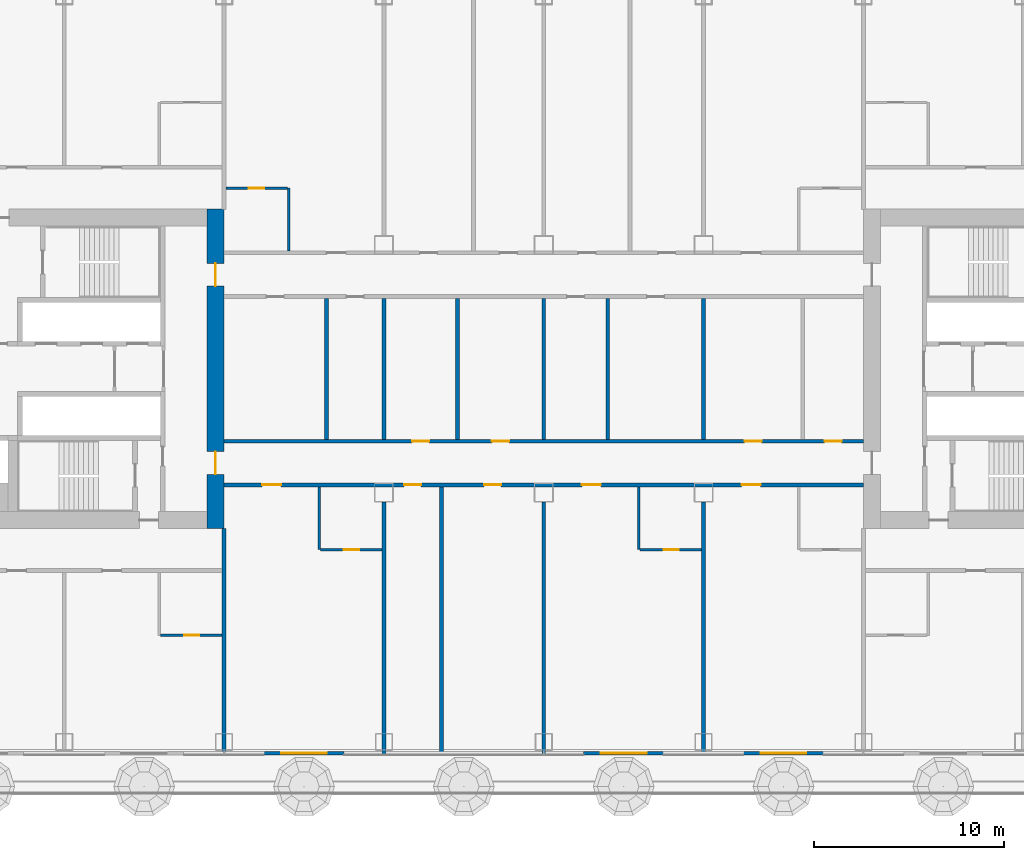
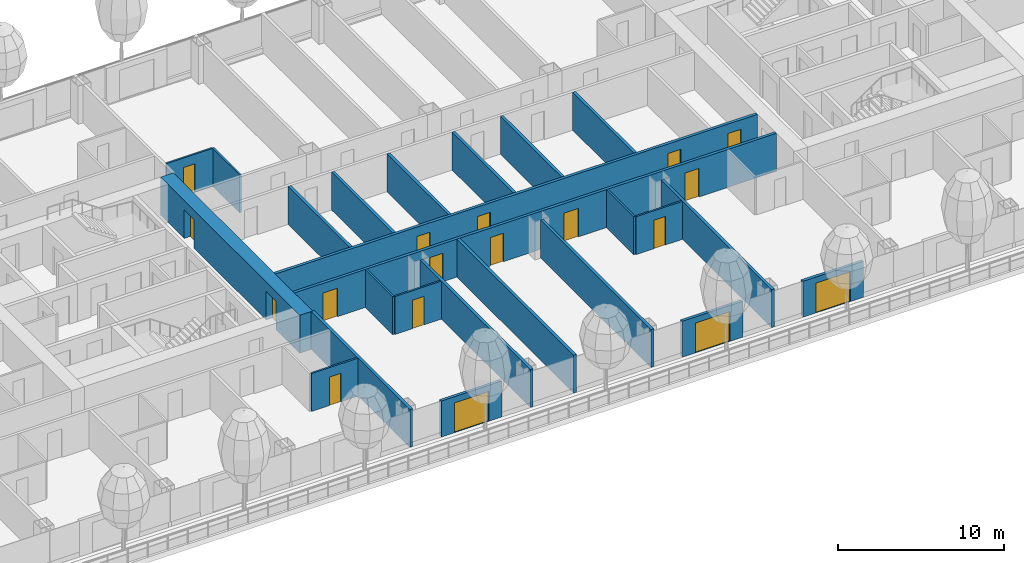
# One storey, part 15 of 35: 24 walls, 18 doors, 18 openings, 1 element without a shape of its own.
"""IFC4 building model written with IfcOpenShell, lengths in metres."""

from ifc_helpers import new_model, si_unit, direction, frame, frame_2d, origin, place, context, subcontext, project, spatial, rectangle, extrude, material, layer, layer_set, type_object, element, fill, aggregate, save


model = new_model("IFC4")

# Units and contexts
model_context = context("Model", 3, precision=1e-05, world=origin(), true_north=direction((0.0, 1.0)))
body_context = subcontext(model_context, "Body", "Model", "MODEL_VIEW")
ifc_project = project(units=[si_unit("LENGTHUNIT", "METRE"), si_unit("AREAUNIT", "SQUARE_METRE"), si_unit("VOLUMEUNIT", "CUBIC_METRE"), si_unit("PLANEANGLEUNIT", "RADIAN"), si_unit("MASSUNIT", "GRAM", prefix="KILO")], contexts=[model_context])

# Site, building, storey
site_placement = place(None, origin())
site = spatial("IfcSite", under=ifc_project, at=site_placement, CompositionType="ELEMENT")
building_placement = place(site_placement, origin())
building = spatial("IfcBuilding", under=site, at=building_placement, Name="Hakoniwa Tower and Hamabe Station Hall", CompositionType="ELEMENT")
storey_placement = place(building_placement, frame((0.0, 0.0, 51.800048828125)))
storey = spatial("IfcBuildingStorey", under=building, at=storey_placement, Name="L14", CompositionType="ELEMENT", Elevation=51.800048828125)

# Wall, opening, door
ifc_material_1 = material(Name="Gypsum board partition", Category="gypsum")
ifc_layer_1 = layer(ifc_material_1, 0.125)
ifc_layer_set_1 = layer_set([ifc_layer_1], Name="Bathroom Partition 125")
wall_type_1 = type_object("IfcWallType", Name="Bathroom Partition 125", PredefinedType="PARTITIONING", material=ifc_layer_set_1)
wall_1_placement = place(storey_placement, frame((-20.137451171875, -14.0, 0.0), z_axis=(0.0, 0.0, 1.0), x_axis=(1.0, 0.0, 0.0)))
wall_1 = element("IfcWall", 1, at=wall_1_placement, inside=storey, type_object=wall_type_1, Name="GW-L14-003", PredefinedType="PARTITIONING", context=body_context, shape_type="SweptSolid", body=[
    extrude(rectangle(XDim=3.237548828125, YDim=0.125, at=frame_2d((1.61865234375, 0.0))), origin(), (0.0, 0.0, 1.0), 2.800048828125),
])
opening_1_placement = place(wall_1_placement, frame((1.237548828125, 0.0, 0.0)))
opening_1 = element("IfcOpeningElement", 2, at=opening_1_placement, cuts=wall_1, Name="Opening GD-G1A2-04", PredefinedType="OPENING", context=body_context, shape_type="SweptSolid", body=[
    extrude(rectangle(XDim=0.800048828125, YDim=2.10009765625, at=frame_2d((0.39990234375, 1.050048828125))), frame((0.0, 0.072509765625, 0.0), z_axis=(0.0, -1.0, 0.0), x_axis=(1.0, 0.0, 0.0)), (0.0, 0.0, 1.0), 0.14501953125),
])
ifc_material_2 = material(Name="Timber door leaf", Category="wood")
door_type_1 = type_object("IfcDoorType", Name="Bathroom Door 800", OperationType="SINGLE_SWING_LEFT", PredefinedType="DOOR", material=ifc_material_2)
door_1_placement = place(opening_1_placement, origin())
door_1 = element("IfcDoor", 3, at=door_1_placement, inside=storey, type_object=door_type_1, Name="Door GD-G1A2-04", OperationType="SINGLE_SWING_RIGHT", OverallHeight=2.10009765625, OverallWidth=0.800048828125, PredefinedType="DOOR", context=body_context, shape_type="SweptSolid", body=[
    extrude(rectangle(XDim=0.800048828125, YDim=2.10009765625, at=frame_2d((0.39990234375, 1.050048828125))), frame((0.0, 0.02490234375, 0.0), z_axis=(0.0, -1.0, 0.0), x_axis=(1.0, 0.0, 0.0)), (0.0, 0.0, 1.0), 0.050048828125),
])
fill(opening_1, door_1)

wall_2_placement = place(storey_placement, frame((-11.737548828125, -9.5, 0.0), z_axis=(0.0, 0.0, 1.0), x_axis=(1.0, 0.0, 0.0)))
wall_2 = element("IfcWall", 4, at=wall_2_placement, inside=storey, type_object=wall_type_1, Name="GW-L14-009", PredefinedType="PARTITIONING", context=body_context, shape_type="SweptSolid", body=[
    extrude(rectangle(XDim=3.237548828125, YDim=0.125, at=frame_2d((1.61865234375, 0.0))), origin(), (0.0, 0.0, 1.0), 2.800048828125),
])
opening_2_placement = place(wall_2_placement, frame((1.237548828125, 0.0, 0.0)))
opening_2 = element("IfcOpeningElement", 5, at=opening_2_placement, cuts=wall_2, Name="Opening GD-G1A2-17", PredefinedType="OPENING", context=body_context, shape_type="SweptSolid", body=[
    extrude(rectangle(XDim=0.800048828125, YDim=2.10009765625, at=frame_2d((0.39990234375, 1.050048828125))), frame((0.0, 0.072509765625, 0.0), z_axis=(0.0, -1.0, 0.0), x_axis=(1.0, 0.0, 0.0)), (0.0, 0.0, 1.0), 0.14501953125),
])
door_2_placement = place(opening_2_placement, origin())
door_2 = element("IfcDoor", 6, at=door_2_placement, inside=storey, type_object=door_type_1, Name="Door GD-G1A2-17", OperationType="SINGLE_SWING_RIGHT", OverallHeight=2.10009765625, OverallWidth=0.800048828125, PredefinedType="DOOR", context=body_context, shape_type="SweptSolid", body=[
    extrude(rectangle(XDim=0.800048828125, YDim=2.10009765625, at=frame_2d((0.39990234375, 1.050048828125))), frame((0.0, 0.02490234375, 0.0), z_axis=(0.0, -1.0, 0.0), x_axis=(1.0, 0.0, 0.0)), (0.0, 0.0, 1.0), 0.050048828125),
])
fill(opening_2, door_2)

wall_3_placement = place(storey_placement, frame((5.0625, -9.5, 0.0), z_axis=(0.0, 0.0, 1.0), x_axis=(1.0, 0.0, 0.0)))
wall_3 = element("IfcWall", 7, at=wall_3_placement, inside=storey, type_object=wall_type_1, Name="GW-L14-010", PredefinedType="PARTITIONING", context=body_context, shape_type="SweptSolid", body=[
    extrude(rectangle(XDim=3.237548828125, YDim=0.125, at=frame_2d((1.61865234375, 0.0))), origin(), (0.0, 0.0, 1.0), 2.800048828125),
])
opening_3_placement = place(wall_3_placement, frame((1.237548828125, 0.0, 0.0)))
opening_3 = element("IfcOpeningElement", 8, at=opening_3_placement, cuts=wall_3, Name="Opening GD-G1A2-18", PredefinedType="OPENING", context=body_context, shape_type="SweptSolid", body=[
    extrude(rectangle(XDim=0.800048828125, YDim=2.10009765625, at=frame_2d((0.39990234375, 1.050048828125))), frame((0.0, 0.072509765625, 0.0), z_axis=(0.0, -1.0, 0.0), x_axis=(1.0, 0.0, 0.0)), (0.0, 0.0, 1.0), 0.14501953125),
])
door_3_placement = place(opening_3_placement, origin())
door_3 = element("IfcDoor", 9, at=door_3_placement, inside=storey, type_object=door_type_1, Name="Door GD-G1A2-18", OperationType="SINGLE_SWING_LEFT", OverallHeight=2.10009765625, OverallWidth=0.800048828125, PredefinedType="DOOR", context=body_context, shape_type="SweptSolid", body=[
    extrude(rectangle(XDim=0.800048828125, YDim=2.10009765625, at=frame_2d((0.39990234375, 1.050048828125))), frame((0.0, 0.02490234375, 0.0), z_axis=(0.0, -1.0, 0.0), x_axis=(1.0, 0.0, 0.0)), (0.0, 0.0, 1.0), 0.050048828125),
])
fill(opening_3, door_3)

wall_4_placement = place(storey_placement, frame((-16.699951171875, 9.5, 0.0), z_axis=(0.0, 0.0, 1.0), x_axis=(1.0, 0.0, 0.0)))
wall_4 = element("IfcWall", 10, at=wall_4_placement, inside=storey, type_object=wall_type_1, Name="GW-L14-030", PredefinedType="PARTITIONING", context=body_context, shape_type="SweptSolid", body=[
    extrude(rectangle(XDim=3.237548828125, YDim=0.125, at=frame_2d((1.61865234375, 0.0))), origin(), (0.0, 0.0, 1.0), 2.800048828125),
])
opening_4_placement = place(wall_4_placement, frame((1.199951171875, 0.0, 0.0)))
opening_4 = element("IfcOpeningElement", 11, at=opening_4_placement, cuts=wall_4, Name="Opening GD-G1A2-54", PredefinedType="OPENING", context=body_context, shape_type="SweptSolid", body=[
    extrude(rectangle(XDim=0.800048828125, YDim=2.10009765625, at=frame_2d((0.39990234375, 1.050048828125))), frame((0.0, 0.072509765625, 0.0), z_axis=(0.0, -1.0, 0.0), x_axis=(1.0, 0.0, 0.0)), (0.0, 0.0, 1.0), 0.14501953125),
])
door_4_placement = place(opening_4_placement, origin())
door_4 = element("IfcDoor", 12, at=door_4_placement, inside=storey, type_object=door_type_1, Name="Door GD-G1A2-54", OperationType="SINGLE_SWING_RIGHT", OverallHeight=2.10009765625, OverallWidth=0.800048828125, PredefinedType="DOOR", context=body_context, shape_type="SweptSolid", body=[
    extrude(rectangle(XDim=0.800048828125, YDim=2.10009765625, at=frame_2d((0.39990234375, 1.050048828125))), frame((0.0, 0.02490234375, 0.0), z_axis=(0.0, -1.0, 0.0), x_axis=(1.0, 0.0, 0.0)), (0.0, 0.0, 1.0), 0.050048828125),
])
fill(opening_4, door_4)

# Walls
for number, where, z_axis, x_axis, name in (
    (13, (-13.39990234375, 6.199951171875, 0.0), (0.0, 0.0, 1.0), (0.0, 1.0, 0.0), "GW-L14-063"),
    (14, (-11.800048828125, -9.5, 0.0), (0.0, 0.0, 1.0), (0.0, 1.0, 0.0), "GW-L14-064"),
    (15, (5.0, -9.5, 0.0), (0.0, 0.0, 1.0), (0.0, 1.0, 0.0), "GW-L14-077"),
):
    element("IfcWall", number, at=place(storey_placement, frame(where, z_axis=z_axis, x_axis=x_axis)), inside=storey, type_object=wall_type_1, Name=name, PredefinedType="PARTITIONING", context=body_context, shape_type="SweptSolid", body=[
        extrude(rectangle(XDim=3.300048828125, YDim=0.125, at=frame_2d((1.64990234375, 0.0))), origin(), (0.0, 0.0, 1.0), 2.800048828125),
    ])

# Wall, openings, doors
ifc_material_3 = material(Name="Concrete C80", Category="concrete")
ifc_layer_2 = layer(ifc_material_3, 0.89990234375)
ifc_layer_set_2 = layer_set([ifc_layer_2], Name="CORE WALL 900 C80")
wall_type_2 = type_object("IfcWallType", Name="CORE WALL 900 C80", PredefinedType="SHEAR", material=ifc_layer_set_2)
wall_5_placement = place(storey_placement, frame((-17.25, -8.39990234375, 0.0), z_axis=(0.0, 0.0, 1.0), x_axis=(0.0, 1.0, 0.0)))
wall_5 = element("IfcWall", 16, at=wall_5_placement, inside=storey, type_object=wall_type_2, Name="Core wall INNER west", PredefinedType="SHEAR", context=body_context, shape_type="SweptSolid", body=[
    extrude(rectangle(XDim=16.7998046875, YDim=0.89990234375, at=frame_2d((8.39990234375, 0.0))), origin(), (0.0, 0.0, 1.0), 2.800048828125),
])
opening_5_placement = place(wall_5_placement, frame((12.75, 0.0, 0.0)))
opening_5 = element("IfcOpeningElement", 17, at=opening_5_placement, cuts=wall_5, Name="Opening CD-W-IN1-12", PredefinedType="OPENING", context=body_context, shape_type="SweptSolid", body=[
    extrude(rectangle(XDim=1.199951171875, YDim=2.10009765625, at=frame_2d((0.60009765625, 1.050048828125))), frame((0.0, 0.4599609375, 0.0), z_axis=(0.0, -1.0, 0.0), x_axis=(1.0, 0.0, 0.0)), (0.0, 0.0, 1.0), 0.919921875),
])
opening_6_placement = place(wall_5_placement, frame((2.85009765625, 0.0, 0.0)))
opening_6 = element("IfcOpeningElement", 18, at=opening_6_placement, cuts=wall_5, Name="Opening CD-W-IN2-12", PredefinedType="OPENING", context=body_context, shape_type="SweptSolid", body=[
    extrude(rectangle(XDim=1.199951171875, YDim=2.10009765625, at=frame_2d((0.60009765625, 1.050048828125))), frame((0.0, 0.4599609375, 0.0), z_axis=(0.0, -1.0, 0.0), x_axis=(1.0, 0.0, 0.0)), (0.0, 0.0, 1.0), 0.919921875),
])
ifc_material_4 = material(Name="Steel fire door", Category="steel")
door_type_2 = type_object("IfcDoorType", Name="CORE DOOR 1200 FD60", OperationType="DOUBLE_DOOR_SINGLE_SWING", PredefinedType="DOOR", material=ifc_material_4)
door_5_placement = place(opening_5_placement, origin())
door_5 = element("IfcDoor", 19, at=door_5_placement, inside=storey, type_object=door_type_2, Name="Lift lobby door", OperationType="DOUBLE_DOOR_SINGLE_SWING", OverallHeight=2.10009765625, OverallWidth=1.199951171875, PredefinedType="DOOR", context=body_context, shape_type="SweptSolid", body=[
    extrude(rectangle(XDim=1.199951171875, YDim=2.10009765625, at=frame_2d((0.60009765625, 1.050048828125))), frame((0.0, 0.02490234375, 0.0), z_axis=(0.0, -1.0, 0.0), x_axis=(1.0, 0.0, 0.0)), (0.0, 0.0, 1.0), 0.050048828125),
])
fill(opening_5, door_5)
door_6_placement = place(opening_6_placement, origin())
door_6 = element("IfcDoor", 20, at=door_6_placement, inside=storey, type_object=door_type_2, Name="Lift lobby door", OperationType="DOUBLE_DOOR_SINGLE_SWING", OverallHeight=2.10009765625, OverallWidth=1.199951171875, PredefinedType="DOOR", context=body_context, shape_type="SweptSolid", body=[
    extrude(rectangle(XDim=1.199951171875, YDim=2.10009765625, at=frame_2d((0.60009765625, 1.050048828125))), frame((0.0, 0.02490234375, 0.0), z_axis=(0.0, -1.0, 0.0), x_axis=(1.0, 0.0, 0.0)), (0.0, 0.0, 1.0), 0.050048828125),
])
fill(opening_6, door_6)

ifc_material_5 = material(Name="Fire-rated gypsum board partition", Category="gypsum")
ifc_layer_3 = layer(ifc_material_5, 0.199951171875)
ifc_layer_set_3 = layer_set([ifc_layer_3], Name="Corridor Wall 200")
wall_type_3 = type_object("IfcWallType", Name="Corridor Wall 200", PredefinedType="PARTITIONING", material=ifc_layer_set_3)
wall_6_placement = place(storey_placement, frame((-16.800048828125, -6.10009765625, 0.0), z_axis=(0.0, 0.0, 1.0), x_axis=(1.0, 0.0, 0.0)))
wall_6 = element("IfcWall", 21, at=wall_6_placement, inside=storey, type_object=wall_type_3, Name="GW-L14-014", PredefinedType="PARTITIONING", context=body_context, shape_type="SweptSolid", body=[
    extrude(rectangle(XDim=33.60009765625, YDim=0.199951171875, at=frame_2d((16.800048828125, 0.0))), origin(), (0.0, 0.0, 1.0), 2.800048828125),
])
opening_7_placement = place(wall_6_placement, frame((2.0, 0.0, 0.0)))
opening_7 = element("IfcOpeningElement", 22, at=opening_7_placement, cuts=wall_6, Name="Opening GD-G1A2-24", PredefinedType="OPENING", context=body_context, shape_type="SweptSolid", body=[
    extrude(rectangle(XDim=1.0, YDim=2.10009765625, at=frame_2d((0.5, 1.050048828125))), frame((0.0, 0.10986328125, 0.0), z_axis=(0.0, -1.0, 0.0), x_axis=(1.0, 0.0, 0.0)), (0.0, 0.0, 1.0), 0.219970703125),
])
opening_8_placement = place(wall_6_placement, frame((9.4599609375, 0.0, 0.0)))
opening_8 = element("IfcOpeningElement", 23, at=opening_8_placement, cuts=wall_6, Name="Opening GD-G1A2-25", PredefinedType="OPENING", context=body_context, shape_type="SweptSolid", body=[
    extrude(rectangle(XDim=0.89990234375, YDim=2.10009765625, at=frame_2d((0.449951171875, 1.050048828125))), frame((0.0, 0.10986328125, 0.0), z_axis=(0.0, -1.0, 0.0), x_axis=(1.0, 0.0, 0.0)), (0.0, 0.0, 1.0), 0.219970703125),
])
opening_9_placement = place(wall_6_placement, frame((13.659912109375, 0.0, 0.0)))
opening_9 = element("IfcOpeningElement", 24, at=opening_9_placement, cuts=wall_6, Name="Opening GD-G1A2-26", PredefinedType="OPENING", context=body_context, shape_type="SweptSolid", body=[
    extrude(rectangle(XDim=0.89990234375, YDim=2.10009765625, at=frame_2d((0.449951171875, 1.050048828125))), frame((0.0, 0.10986328125, 0.0), z_axis=(0.0, -1.0, 0.0), x_axis=(1.0, 0.0, 0.0)), (0.0, 0.0, 1.0), 0.219970703125),
])
opening_10_placement = place(wall_6_placement, frame((18.800048828125, 0.0, 0.0)))
opening_10 = element("IfcOpeningElement", 25, at=opening_10_placement, cuts=wall_6, Name="Opening GD-G1A2-27", PredefinedType="OPENING", context=body_context, shape_type="SweptSolid", body=[
    extrude(rectangle(XDim=1.0, YDim=2.10009765625, at=frame_2d((0.5, 1.050048828125))), frame((0.0, 0.10986328125, 0.0), z_axis=(0.0, -1.0, 0.0), x_axis=(1.0, 0.0, 0.0)), (0.0, 0.0, 1.0), 0.219970703125),
])
opening_11_placement = place(wall_6_placement, frame((27.199951171875, 0.0, 0.0)))
opening_11 = element("IfcOpeningElement", 26, at=opening_11_placement, cuts=wall_6, Name="Opening GD-G1A2-28", PredefinedType="OPENING", context=body_context, shape_type="SweptSolid", body=[
    extrude(rectangle(XDim=1.0, YDim=2.10009765625, at=frame_2d((0.5, 1.050048828125))), frame((0.0, 0.10986328125, 0.0), z_axis=(0.0, -1.0, 0.0), x_axis=(1.0, 0.0, 0.0)), (0.0, 0.0, 1.0), 0.219970703125),
])
ifc_material_6 = material(Name="Timber door leaf", Category="wood")
door_type_3 = type_object("IfcDoorType", Name="Guest Entrance Door 1000", OperationType="SINGLE_SWING_LEFT", PredefinedType="DOOR", material=ifc_material_6)
door_7_placement = place(opening_7_placement, origin())
door_7 = element("IfcDoor", 27, at=door_7_placement, inside=storey, type_object=door_type_3, Name="Door GD-G1A2-24", OperationType="SINGLE_SWING_LEFT", OverallHeight=2.10009765625, OverallWidth=1.0, PredefinedType="DOOR", context=body_context, shape_type="SweptSolid", body=[
    extrude(rectangle(XDim=1.0, YDim=2.10009765625, at=frame_2d((0.5, 1.050048828125))), frame((0.0, 0.02490234375, 0.0), z_axis=(0.0, -1.0, 0.0), x_axis=(1.0, 0.0, 0.0)), (0.0, 0.0, 1.0), 0.050048828125),
])
fill(opening_7, door_7)
door_8_placement = place(opening_10_placement, origin())
door_8 = element("IfcDoor", 28, at=door_8_placement, inside=storey, type_object=door_type_3, Name="Door GD-G1A2-27", OperationType="SINGLE_SWING_RIGHT", OverallHeight=2.10009765625, OverallWidth=1.0, PredefinedType="DOOR", context=body_context, shape_type="SweptSolid", body=[
    extrude(rectangle(XDim=1.0, YDim=2.10009765625, at=frame_2d((0.5, 1.050048828125))), frame((0.0, 0.02490234375, 0.0), z_axis=(0.0, -1.0, 0.0), x_axis=(1.0, 0.0, 0.0)), (0.0, 0.0, 1.0), 0.050048828125),
])
fill(opening_10, door_8)
door_9_placement = place(opening_11_placement, origin())
door_9 = element("IfcDoor", 29, at=door_9_placement, inside=storey, type_object=door_type_3, Name="Door GD-G1A2-28", OperationType="SINGLE_SWING_LEFT", OverallHeight=2.10009765625, OverallWidth=1.0, PredefinedType="DOOR", context=body_context, shape_type="SweptSolid", body=[
    extrude(rectangle(XDim=1.0, YDim=2.10009765625, at=frame_2d((0.5, 1.050048828125))), frame((0.0, 0.02490234375, 0.0), z_axis=(0.0, -1.0, 0.0), x_axis=(1.0, 0.0, 0.0)), (0.0, 0.0, 1.0), 0.050048828125),
])
fill(opening_11, door_9)
ifc_material_7 = material(Name="Timber door leaf", Category="wood")
door_type_4 = type_object("IfcDoorType", Name="Service Door 900", OperationType="SINGLE_SWING_LEFT", PredefinedType="DOOR", material=ifc_material_7)
door_10_placement = place(opening_8_placement, origin())
door_10 = element("IfcDoor", 30, at=door_10_placement, inside=storey, type_object=door_type_4, Name="Door GD-G1A2-25", OperationType="SINGLE_SWING_RIGHT", OverallHeight=2.10009765625, OverallWidth=0.89990234375, PredefinedType="DOOR", context=body_context, shape_type="SweptSolid", body=[
    extrude(rectangle(XDim=0.89990234375, YDim=2.10009765625, at=frame_2d((0.449951171875, 1.050048828125))), frame((0.0, 0.02490234375, 0.0), z_axis=(0.0, -1.0, 0.0), x_axis=(1.0, 0.0, 0.0)), (0.0, 0.0, 1.0), 0.050048828125),
])
fill(opening_8, door_10)
door_11_placement = place(opening_9_placement, origin())
door_11 = element("IfcDoor", 31, at=door_11_placement, inside=storey, type_object=door_type_4, Name="Door GD-G1A2-26", OperationType="SINGLE_SWING_LEFT", OverallHeight=2.10009765625, OverallWidth=0.89990234375, PredefinedType="DOOR", context=body_context, shape_type="SweptSolid", body=[
    extrude(rectangle(XDim=0.89990234375, YDim=2.10009765625, at=frame_2d((0.449951171875, 1.050048828125))), frame((0.0, 0.02490234375, 0.0), z_axis=(0.0, -1.0, 0.0), x_axis=(1.0, 0.0, 0.0)), (0.0, 0.0, 1.0), 0.050048828125),
])
fill(opening_9, door_11)

wall_7_placement = place(storey_placement, frame((-16.800048828125, -3.800048828125, 0.0), z_axis=(0.0, 0.0, 1.0), x_axis=(1.0, 0.0, 0.0)))
wall_7 = element("IfcWall", 32, at=wall_7_placement, inside=storey, type_object=wall_type_3, Name="GW-L14-019", PredefinedType="PARTITIONING", context=body_context, shape_type="SweptSolid", body=[
    extrude(rectangle(XDim=33.60009765625, YDim=0.199951171875, at=frame_2d((16.800048828125, 0.0))), origin(), (0.0, 0.0, 1.0), 2.800048828125),
])
opening_12_placement = place(wall_7_placement, frame((9.8798828125, 0.0, 0.0)))
opening_12 = element("IfcOpeningElement", 33, at=opening_12_placement, cuts=wall_7, Name="Opening GD-G1A2-33", PredefinedType="OPENING", context=body_context, shape_type="SweptSolid", body=[
    extrude(rectangle(XDim=0.89990234375, YDim=2.10009765625, at=frame_2d((0.449951171875, 1.050048828125))), frame((0.0, 0.10986328125, 0.0), z_axis=(0.0, -1.0, 0.0), x_axis=(1.0, 0.0, 0.0)), (0.0, 0.0, 1.0), 0.219970703125),
])
opening_13_placement = place(wall_7_placement, frame((14.080078125, 0.0, 0.0)))
opening_13 = element("IfcOpeningElement", 34, at=opening_13_placement, cuts=wall_7, Name="Opening GD-G1A2-34", PredefinedType="OPENING", context=body_context, shape_type="SweptSolid", body=[
    extrude(rectangle(XDim=0.89990234375, YDim=2.10009765625, at=frame_2d((0.449951171875, 1.050048828125))), frame((0.0, 0.10986328125, 0.0), z_axis=(0.0, -1.0, 0.0), x_axis=(1.0, 0.0, 0.0)), (0.0, 0.0, 1.0), 0.219970703125),
])
opening_14_placement = place(wall_7_placement, frame((27.35498046875, 0.0, 0.0)))
opening_14 = element("IfcOpeningElement", 35, at=opening_14_placement, cuts=wall_7, Name="Opening GD-G1A2-35", PredefinedType="OPENING", context=body_context, shape_type="SweptSolid", body=[
    extrude(rectangle(XDim=0.89990234375, YDim=2.10009765625, at=frame_2d((0.449951171875, 1.050048828125))), frame((0.0, 0.10986328125, 0.0), z_axis=(0.0, -1.0, 0.0), x_axis=(1.0, 0.0, 0.0)), (0.0, 0.0, 1.0), 0.219970703125),
])
opening_15_placement = place(wall_7_placement, frame((31.554931640625, 0.0, 0.0)))
opening_15 = element("IfcOpeningElement", 36, at=opening_15_placement, cuts=wall_7, Name="Opening GD-G1A2-36", PredefinedType="OPENING", context=body_context, shape_type="SweptSolid", body=[
    extrude(rectangle(XDim=0.89990234375, YDim=2.10009765625, at=frame_2d((0.449951171875, 1.050048828125))), frame((0.0, 0.10986328125, 0.0), z_axis=(0.0, -1.0, 0.0), x_axis=(1.0, 0.0, 0.0)), (0.0, 0.0, 1.0), 0.219970703125),
])
door_12_placement = place(opening_12_placement, origin())
door_12 = element("IfcDoor", 37, at=door_12_placement, inside=storey, type_object=door_type_4, Name="Door GD-G1A2-33", OperationType="SINGLE_SWING_RIGHT", OverallHeight=2.10009765625, OverallWidth=0.89990234375, PredefinedType="DOOR", context=body_context, shape_type="SweptSolid", body=[
    extrude(rectangle(XDim=0.89990234375, YDim=2.10009765625, at=frame_2d((0.449951171875, 1.050048828125))), frame((0.0, 0.02490234375, 0.0), z_axis=(0.0, -1.0, 0.0), x_axis=(1.0, 0.0, 0.0)), (0.0, 0.0, 1.0), 0.050048828125),
])
fill(opening_12, door_12)
door_13_placement = place(opening_13_placement, origin())
door_13 = element("IfcDoor", 38, at=door_13_placement, inside=storey, type_object=door_type_4, Name="Door GD-G1A2-34", OperationType="SINGLE_SWING_LEFT", OverallHeight=2.10009765625, OverallWidth=0.89990234375, PredefinedType="DOOR", context=body_context, shape_type="SweptSolid", body=[
    extrude(rectangle(XDim=0.89990234375, YDim=2.10009765625, at=frame_2d((0.449951171875, 1.050048828125))), frame((0.0, 0.02490234375, 0.0), z_axis=(0.0, -1.0, 0.0), x_axis=(1.0, 0.0, 0.0)), (0.0, 0.0, 1.0), 0.050048828125),
])
fill(opening_13, door_13)
door_14_placement = place(opening_14_placement, origin())
door_14 = element("IfcDoor", 39, at=door_14_placement, inside=storey, type_object=door_type_4, Name="Door GD-G1A2-35", OperationType="SINGLE_SWING_RIGHT", OverallHeight=2.10009765625, OverallWidth=0.89990234375, PredefinedType="DOOR", context=body_context, shape_type="SweptSolid", body=[
    extrude(rectangle(XDim=0.89990234375, YDim=2.10009765625, at=frame_2d((0.449951171875, 1.050048828125))), frame((0.0, 0.02490234375, 0.0), z_axis=(0.0, -1.0, 0.0), x_axis=(1.0, 0.0, 0.0)), (0.0, 0.0, 1.0), 0.050048828125),
])
fill(opening_14, door_14)
door_15_placement = place(opening_15_placement, origin())
door_15 = element("IfcDoor", 40, at=door_15_placement, inside=storey, type_object=door_type_4, Name="Door GD-G1A2-36", OperationType="SINGLE_SWING_RIGHT", OverallHeight=2.10009765625, OverallWidth=0.89990234375, PredefinedType="DOOR", context=body_context, shape_type="SweptSolid", body=[
    extrude(rectangle(XDim=0.89990234375, YDim=2.10009765625, at=frame_2d((0.449951171875, 1.050048828125))), frame((0.0, 0.02490234375, 0.0), z_axis=(0.0, -1.0, 0.0), x_axis=(1.0, 0.0, 0.0)), (0.0, 0.0, 1.0), 0.050048828125),
])
fill(opening_15, door_15)

# Curtain wall, walls, openings, doors
ifc_material_8 = material(Name="Dark low-e laminated glass", Category="glass")
ifc_layer_4 = layer(ifc_material_8, 0.199951171875)
ifc_layer_set_4 = layer_set([ifc_layer_4], Name="CW-1 UNITISED GUEST")
curtain_wall_type = type_object("IfcCurtainWallType", Name="CW-1 UNITISED GUEST", PredefinedType="NOTDEFINED", material=ifc_layer_set_4)
curtain_wall_placement = place(storey_placement, origin())
curtain_wall = element("IfcCurtainWall", 41, at=curtain_wall_placement, inside=storey, type_object=curtain_wall_type, Name="CW-1 curtain wall", PredefinedType="NOTDEFINED")
ifc_material_9 = material(Name="Dark glass-faced aluminium panel", Category="aluminium")
ifc_layer_5 = layer(ifc_material_9, 0.199951171875)
ifc_layer_set_5 = layer_set([ifc_layer_5], Name="DOOR BAY WALL")
wall_type_4 = type_object("IfcWallType", Name="DOOR BAY WALL", PredefinedType="NOTDEFINED", material=ifc_layer_set_5)
wall_8_placement = place(storey_placement, frame((-14.7099609375, -20.199951171875, 0.0), z_axis=(0.0, 0.0, 1.0), x_axis=(1.0, 0.0, 0.0)))
wall_8 = element("IfcWall", 42, at=wall_8_placement, type_object=wall_type_4, Name="Door bay wall", PredefinedType="NOTDEFINED", context=body_context, shape_type="SweptSolid", body=[
    extrude(rectangle(XDim=4.219970703125, YDim=0.199951171875, at=frame_2d((2.10986328125, 0.0))), origin(), (0.0, 0.0, 1.0), 2.64990234375),
])
opening_16_placement = place(wall_8_placement, frame((0.909912109375, 0.0, 0.0)))
opening_16 = element("IfcOpeningElement", 43, at=opening_16_placement, cuts=wall_8, Name="Opening BD-S07-3", PredefinedType="OPENING", context=body_context, shape_type="SweptSolid", body=[
    extrude(rectangle(XDim=2.39990234375, YDim=2.199951171875, at=frame_2d((1.199951171875, 1.10009765625))), frame((0.0, 0.10986328125, 0.0), z_axis=(0.0, -1.0, 0.0), x_axis=(1.0, 0.0, 0.0)), (0.0, 0.0, 1.0), 0.219970703125),
])
ifc_material_10 = material(Name="Dark low-e laminated glass", Category="glass")
door_type_5 = type_object("IfcDoorType", Name="BALCONY SLIDING DOOR 2400X2200", OperationType="SLIDING_TO_LEFT", PredefinedType="DOOR", material=ifc_material_10)
door_16_placement = place(opening_16_placement, frame((2.39990234375, 0.0, 0.0), z_axis=(0.0, 0.0, 1.0), x_axis=(-1.0, 0.0, 0.0)))
door_16 = element("IfcDoor", 44, at=door_16_placement, inside=storey, type_object=door_type_5, Name="Balcony sliding door", OperationType="SLIDING_TO_LEFT", OverallHeight=2.199951171875, OverallWidth=2.39990234375, PredefinedType="DOOR", context=body_context, shape_type="SweptSolid", body=[
    extrude(rectangle(XDim=2.39990234375, YDim=2.199951171875, at=frame_2d((1.199951171875, 1.10009765625))), frame((0.0, 0.02490234375, 0.0), z_axis=(0.0, -1.0, 0.0), x_axis=(1.0, 0.0, 0.0)), (0.0, 0.0, 1.0), 0.050048828125),
])
fill(opening_16, door_16)
wall_9_placement = place(storey_placement, frame((2.090087890625, -20.199951171875, 0.0), z_axis=(0.0, 0.0, 1.0), x_axis=(1.0, 0.0, 0.0)))
wall_9 = element("IfcWall", 45, at=wall_9_placement, type_object=wall_type_4, Name="Door bay wall", PredefinedType="NOTDEFINED", context=body_context, shape_type="SweptSolid", body=[
    extrude(rectangle(XDim=4.219970703125, YDim=0.199951171875, at=frame_2d((2.10986328125, 0.0))), origin(), (0.0, 0.0, 1.0), 2.64990234375),
])
opening_17_placement = place(wall_9_placement, frame((0.909912109375, 0.0, 0.0)))
opening_17 = element("IfcOpeningElement", 46, at=opening_17_placement, cuts=wall_9, Name="Opening BD-S07-4", PredefinedType="OPENING", context=body_context, shape_type="SweptSolid", body=[
    extrude(rectangle(XDim=2.39990234375, YDim=2.199951171875, at=frame_2d((1.199951171875, 1.10009765625))), frame((0.0, 0.10986328125, 0.0), z_axis=(0.0, -1.0, 0.0), x_axis=(1.0, 0.0, 0.0)), (0.0, 0.0, 1.0), 0.219970703125),
])
door_17_placement = place(opening_17_placement, frame((2.39990234375, 0.0, 0.0), z_axis=(0.0, 0.0, 1.0), x_axis=(-1.0, 0.0, 0.0)))
door_17 = element("IfcDoor", 47, at=door_17_placement, inside=storey, type_object=door_type_5, Name="Balcony sliding door", OperationType="SLIDING_TO_LEFT", OverallHeight=2.199951171875, OverallWidth=2.39990234375, PredefinedType="DOOR", context=body_context, shape_type="SweptSolid", body=[
    extrude(rectangle(XDim=2.39990234375, YDim=2.199951171875, at=frame_2d((1.199951171875, 1.10009765625))), frame((0.0, 0.02490234375, 0.0), z_axis=(0.0, -1.0, 0.0), x_axis=(1.0, 0.0, 0.0)), (0.0, 0.0, 1.0), 0.050048828125),
])
fill(opening_17, door_17)
wall_10_placement = place(storey_placement, frame((10.489990234375, -20.199951171875, 0.0), z_axis=(0.0, 0.0, 1.0), x_axis=(1.0, 0.0, 0.0)))
wall_10 = element("IfcWall", 48, at=wall_10_placement, type_object=wall_type_4, Name="Door bay wall", PredefinedType="NOTDEFINED", context=body_context, shape_type="SweptSolid", body=[
    extrude(rectangle(XDim=4.219970703125, YDim=0.199951171875, at=frame_2d((2.10986328125, 0.0))), origin(), (0.0, 0.0, 1.0), 2.64990234375),
])
opening_18_placement = place(wall_10_placement, frame((0.909912109375, 0.0, 0.0)))
opening_18 = element("IfcOpeningElement", 49, at=opening_18_placement, cuts=wall_10, Name="Opening BD-S07-5", PredefinedType="OPENING", context=body_context, shape_type="SweptSolid", body=[
    extrude(rectangle(XDim=2.39990234375, YDim=2.199951171875, at=frame_2d((1.199951171875, 1.10009765625))), frame((0.0, 0.10986328125, 0.0), z_axis=(0.0, -1.0, 0.0), x_axis=(1.0, 0.0, 0.0)), (0.0, 0.0, 1.0), 0.219970703125),
])
door_18_placement = place(opening_18_placement, frame((2.39990234375, 0.0, 0.0), z_axis=(0.0, 0.0, 1.0), x_axis=(-1.0, 0.0, 0.0)))
door_18 = element("IfcDoor", 50, at=door_18_placement, inside=storey, type_object=door_type_5, Name="Balcony sliding door", OperationType="SLIDING_TO_LEFT", OverallHeight=2.199951171875, OverallWidth=2.39990234375, PredefinedType="DOOR", context=body_context, shape_type="SweptSolid", body=[
    extrude(rectangle(XDim=2.39990234375, YDim=2.199951171875, at=frame_2d((1.199951171875, 1.10009765625))), frame((0.0, 0.02490234375, 0.0), z_axis=(0.0, -1.0, 0.0), x_axis=(1.0, 0.0, 0.0)), (0.0, 0.0, 1.0), 0.050048828125),
])
fill(opening_18, door_18)
aggregate(curtain_wall, [wall_8, wall_9, wall_10])

# Walls
ifc_material_11 = material(Name="Fire-rated gypsum board partition", Category="gypsum")
ifc_layer_6 = layer(ifc_material_11, 0.199951171875)
ifc_layer_set_6 = layer_set([ifc_layer_6], Name="Party Wall 200")
wall_type_5 = type_object("IfcWallType", Name="Party Wall 200", PredefinedType="PARTITIONING", material=ifc_layer_set_6)
wall_11_placement = place(storey_placement, frame((-16.800048828125, -20.300048828125, 0.0), z_axis=(0.0, 0.0, 1.0), x_axis=(0.0, 1.0, 0.0)))
element("IfcWall", 51, at=wall_11_placement, inside=storey, type_object=wall_type_5, Name="GW-L14-061", PredefinedType="PARTITIONING", context=body_context, shape_type="SweptSolid", body=[
    extrude(rectangle(XDim=11.91015625, YDim=0.199951171875, at=frame_2d((5.955078125, 0.0))), origin(), (0.0, 0.0, 1.0), 2.800048828125),
])
wall_12_placement = place(storey_placement, frame((-11.419921875, -3.699951171875, 0.0), z_axis=(0.0, 0.0, 1.0), x_axis=(0.0, 1.0, 0.0)))
element("IfcWall", 52, at=wall_12_placement, inside=storey, type_object=wall_type_5, Name="GW-L14-065", PredefinedType="PARTITIONING", context=body_context, shape_type="SweptSolid", body=[
    extrude(rectangle(XDim=7.39990234375, YDim=0.199951171875, at=frame_2d((3.699951171875, 0.0))), origin(), (0.0, 0.0, 1.0), 2.800048828125),
])
wall_13_placement = place(storey_placement, frame((-8.39990234375, -20.300048828125, 0.0), z_axis=(0.0, 0.0, 1.0), x_axis=(0.0, 1.0, 0.0)))
element("IfcWall", 53, at=wall_13_placement, inside=storey, type_object=wall_type_5, Name="GW-L14-066", PredefinedType="PARTITIONING", context=body_context, shape_type="SweptSolid", body=[
    extrude(rectangle(XDim=13.31005859375, YDim=0.199951171875, at=frame_2d((6.655029296875, 0.0))), origin(), (0.0, 0.0, 1.0), 2.800048828125),
])
wall_14_placement = place(storey_placement, frame((-8.39990234375, -3.699951171875, 0.0), z_axis=(0.0, 0.0, 1.0), x_axis=(0.0, 1.0, 0.0)))
element("IfcWall", 54, at=wall_14_placement, inside=storey, type_object=wall_type_5, Name="GW-L14-067", PredefinedType="PARTITIONING", context=body_context, shape_type="SweptSolid", body=[
    extrude(rectangle(XDim=7.39990234375, YDim=0.199951171875, at=frame_2d((3.699951171875, 0.0))), origin(), (0.0, 0.0, 1.0), 2.800048828125),
])
wall_15_placement = place(storey_placement, frame((-5.3798828125, -20.300048828125, 0.0), z_axis=(0.0, 0.0, 1.0), x_axis=(0.0, 1.0, 0.0)))
element("IfcWall", 55, at=wall_15_placement, inside=storey, type_object=wall_type_5, Name="GW-L14-069", PredefinedType="PARTITIONING", context=body_context, shape_type="SweptSolid", body=[
    extrude(rectangle(XDim=14.10009765625, YDim=0.199951171875, at=frame_2d((7.050048828125, 0.0))), origin(), (0.0, 0.0, 1.0), 2.800048828125),
])
wall_16_placement = place(storey_placement, frame((-4.5400390625, -3.699951171875, 0.0), z_axis=(0.0, 0.0, 1.0), x_axis=(0.0, 1.0, 0.0)))
element("IfcWall", 56, at=wall_16_placement, inside=storey, type_object=wall_type_5, Name="GW-L14-070", PredefinedType="PARTITIONING", context=body_context, shape_type="SweptSolid", body=[
    extrude(rectangle(XDim=7.39990234375, YDim=0.199951171875, at=frame_2d((3.699951171875, 0.0))), origin(), (0.0, 0.0, 1.0), 2.800048828125),
])
wall_17_placement = place(storey_placement, frame((0.0, -20.300048828125, 0.0), z_axis=(0.0, 0.0, 1.0), x_axis=(0.0, 1.0, 0.0)))
element("IfcWall", 57, at=wall_17_placement, inside=storey, type_object=wall_type_5, Name="GW-L14-072", PredefinedType="PARTITIONING", context=body_context, shape_type="SweptSolid", body=[
    extrude(rectangle(XDim=13.31005859375, YDim=0.199951171875, at=frame_2d((6.655029296875, 0.0))), origin(), (0.0, 0.0, 1.0), 2.800048828125),
])
for number, where, z_axis, x_axis, name in (
    (58, (0.0, -3.699951171875, 0.0), (0.0, 0.0, 1.0), (0.0, 1.0, 0.0), "GW-L14-073"),
    (59, (3.360107421875, -3.699951171875, 0.0), (0.0, 0.0, 1.0), (0.0, 1.0, 0.0), "GW-L14-075"),
):
    element("IfcWall", number, at=place(storey_placement, frame(where, z_axis=z_axis, x_axis=x_axis)), inside=storey, type_object=wall_type_5, Name=name, PredefinedType="PARTITIONING", context=body_context, shape_type="SweptSolid", body=[
        extrude(rectangle(XDim=7.39990234375, YDim=0.199951171875, at=frame_2d((3.699951171875, 0.0))), origin(), (0.0, 0.0, 1.0), 2.800048828125),
    ])
wall_18_placement = place(storey_placement, frame((8.39990234375, -20.300048828125, 0.0), z_axis=(0.0, 0.0, 1.0), x_axis=(0.0, 1.0, 0.0)))
element("IfcWall", 60, at=wall_18_placement, inside=storey, type_object=wall_type_5, Name="GW-L14-078", PredefinedType="PARTITIONING", context=body_context, shape_type="SweptSolid", body=[
    extrude(rectangle(XDim=13.31005859375, YDim=0.199951171875, at=frame_2d((6.655029296875, 0.0))), origin(), (0.0, 0.0, 1.0), 2.800048828125),
])
wall_19_placement = place(storey_placement, frame((8.39990234375, -3.699951171875, 0.0), z_axis=(0.0, 0.0, 1.0), x_axis=(0.0, 1.0, 0.0)))
element("IfcWall", 61, at=wall_19_placement, inside=storey, type_object=wall_type_5, Name="GW-L14-079", PredefinedType="PARTITIONING", context=body_context, shape_type="SweptSolid", body=[
    extrude(rectangle(XDim=7.39990234375, YDim=0.199951171875, at=frame_2d((3.699951171875, 0.0))), origin(), (0.0, 0.0, 1.0), 2.800048828125),
])

save(model, "model.ifc")
